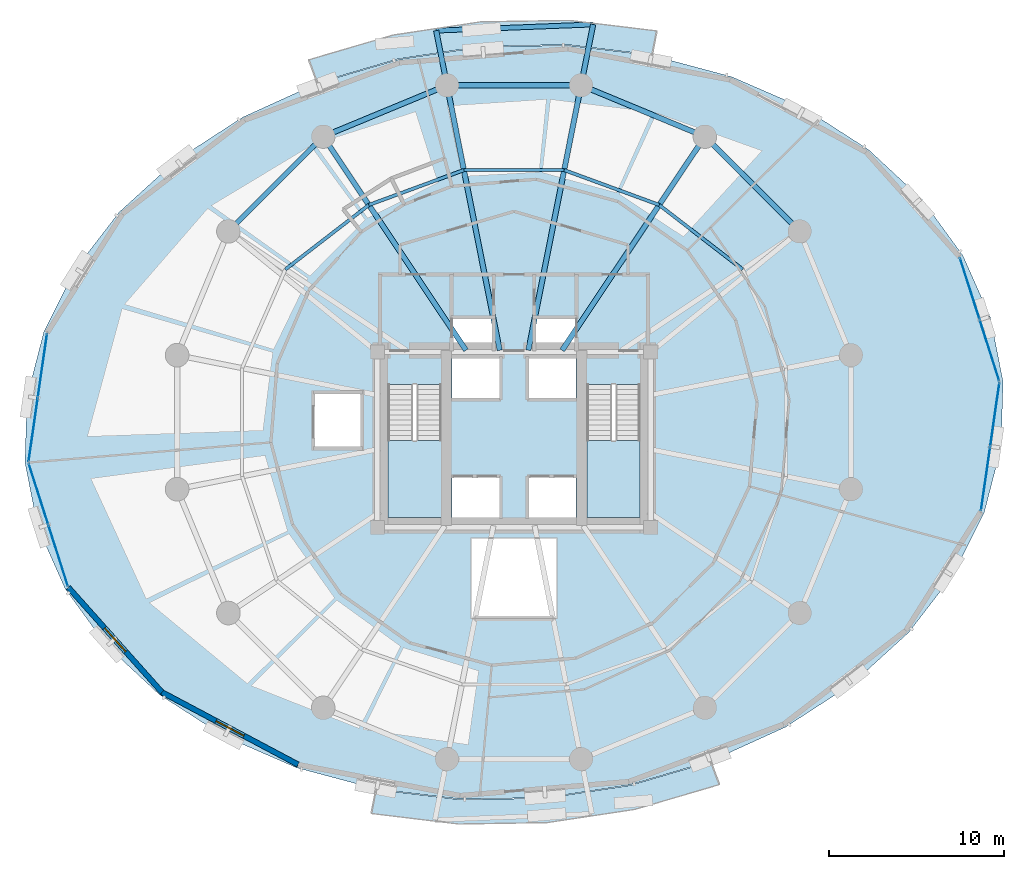
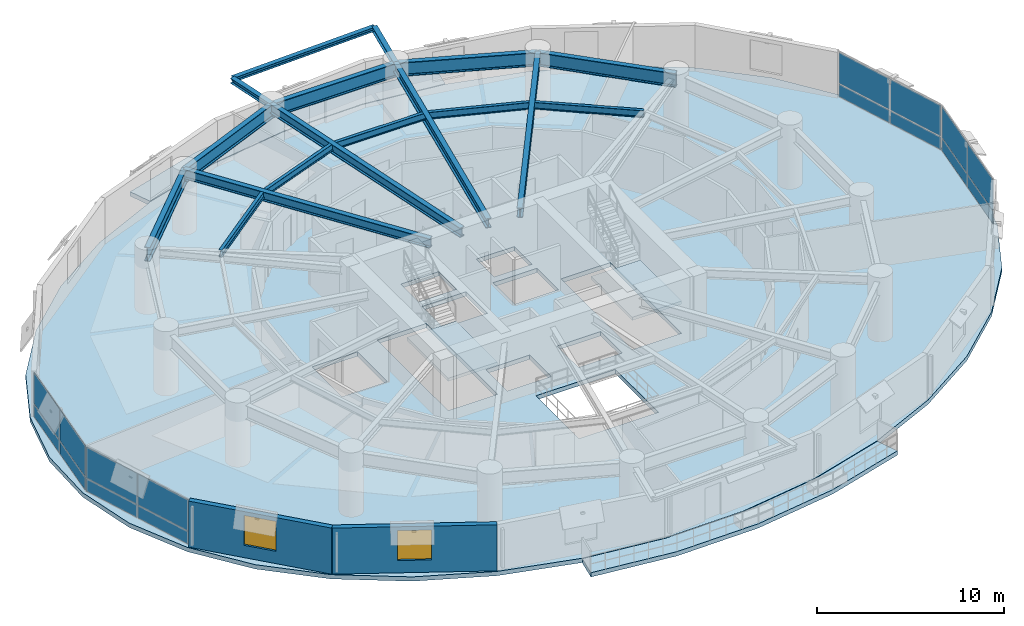
# One storey, part 9 of 16: 17 beams, 16 plates, 5 slabs, 2 walls, 2 windows, 2 openings, 6 elements without a shape of their own.
"""IFC4 building model written with IfcOpenShell, lengths in metres."""

from ifc_helpers import new_model, si_unit, direction, frame, frame_2d, origin, origin_2d, place, context, subcontext, project, spatial, polyline, rectangle, i_section, outline, extrude, material, layer, layer_set, material_profile, profile_set, type_object, element, fill, aggregate, save


model = new_model("IFC4")

# Units and contexts
model_context = context("Model", 3, precision=1e-05, world=origin(), true_north=direction((0.0, 1.0)))
body_context = subcontext(model_context, "Body", "Model", "MODEL_VIEW")
ifc_project = project(units=[si_unit("LENGTHUNIT", "METRE"), si_unit("AREAUNIT", "SQUARE_METRE"), si_unit("VOLUMEUNIT", "CUBIC_METRE"), si_unit("PLANEANGLEUNIT", "RADIAN"), si_unit("MASSUNIT", "GRAM", prefix="KILO"), si_unit("THERMODYNAMICTEMPERATUREUNIT", "KELVIN"), si_unit("POWERUNIT", "WATT")], contexts=[model_context])

# Site, building, storey
site_placement = place(None, origin())
site = spatial("IfcSite", under=ifc_project, at=site_placement, CompositionType="ELEMENT")
building_placement = place(site_placement, origin())
building = spatial("IfcBuilding", under=site, at=building_placement, Name="Ocrelia Relay Tower", CompositionType="ELEMENT")
storey_placement = place(building_placement, frame((0.0, 0.0, 51.0)))
storey = spatial("IfcBuildingStorey", under=building, at=storey_placement, Name="L11", CompositionType="ELEMENT", Elevation=51.0)

# Beams
ifc_material_1 = material(Name="Steel S355", Category="steel")
ifc_material_profile_1 = material_profile(ifc_material_1, i_section(OverallWidth=0.280029296875, OverallDepth=0.27001953125, WebThickness=0.008056640625, FlangeThickness=0.012939453125, FilletRadius=0.02392578125, at=origin_2d()), Name="HEA 280")
ifc_profile_set_1 = profile_set([ifc_material_profile_1], Name="Steel S355")
beam_type_1 = type_object("IfcBeamType", Name="BM-HEA280", PredefinedType="BEAM", material=ifc_profile_set_1)
beam_1_placement = place(storey_placement, frame((38.51416015625, 48.694580078125, 3.784912109375), z_axis=(-0.999235166973, -0.039103466406, 0.0), x_axis=(0.039103466406, -0.999235166973, 0.0)))
element("IfcBeam", 1, at=beam_1_placement, inside=storey, type_object=beam_type_1, Name="L12 Balcony Edge Trimmer Beam B1", PredefinedType="BEAM", context=body_context, shape_type="SweptSolid", body=[
    extrude(i_section(OverallWidth=0.280029296875, OverallDepth=0.27001953125, WebThickness=0.008056640625, FlangeThickness=0.012939453125, FilletRadius=0.02392578125, at=origin_2d()), origin(), (0.0, 0.0, 1.0), 8.965576171875),
])
ifc_material_profile_2 = material_profile(ifc_material_1, i_section(OverallWidth=0.300048828125, OverallDepth=0.330078125, WebThickness=0.009521484375, FlangeThickness=0.0166015625, FilletRadius=0.027099609375, at=origin_2d()), Name="HEA 340")
ifc_profile_set_2 = profile_set([ifc_material_profile_2], Name="Steel S355")
beam_type_2 = type_object("IfcBeamType", Name="BM-HEA340", PredefinedType="BEAM", material=ifc_profile_set_2)
beam_2_placement = place(storey_placement, frame((37.82373046875, 45.223388671875, 3.7548828125), z_axis=(0.195081294896, 0.980787075966, 0.0), x_axis=(-0.980787075966, 0.195081294896, 0.0)))
element("IfcBeam", 2, at=beam_2_placement, inside=storey, type_object=beam_type_2, Name="L12 Balcony Cantilever Beam B1-1", PredefinedType="BEAM", context=body_context, shape_type="SweptSolid", body=[
    extrude(i_section(OverallWidth=0.300048828125, OverallDepth=0.330078125, WebThickness=0.009521484375, FlangeThickness=0.0166015625, FilletRadius=0.027099609375, at=origin_2d()), origin(), (0.0, 0.0, 1.0), 3.539306640625),
])
beam_3_placement = place(storey_placement, frame((30.17626953125, 45.223388671875, 3.7548828125), z_axis=(-0.195127383752, 0.980777907638, 0.0), x_axis=(-0.980777907638, -0.195127383752, 0.0)))
element("IfcBeam", 3, at=beam_3_placement, inside=storey, type_object=beam_type_2, Name="L12 Balcony Cantilever Beam B1-2", PredefinedType="BEAM", context=body_context, shape_type="SweptSolid", body=[
    extrude(i_section(OverallWidth=0.300048828125, OverallDepth=0.330078125, WebThickness=0.009521484375, FlangeThickness=0.0166015625, FilletRadius=0.027099609375, at=origin_2d()), origin(), (0.0, 0.0, 1.0), 3.181884765625),
])
ifc_material_profile_3 = material_profile(ifc_material_1, i_section(OverallWidth=0.300048828125, OverallDepth=0.60009765625, WebThickness=0.015380859375, FlangeThickness=0.030029296875, FilletRadius=0.027099609375, at=origin_2d()), Name="HEB 600")
ifc_profile_set_3 = profile_set([ifc_material_profile_3], Name="Steel S355")
beam_type_3 = type_object("IfcBeamType", Name="BM-HEB600", PredefinedType="BEAM", material=ifc_profile_set_3)
beam_4_placement = place(storey_placement, frame((44.88916015625, 42.296875, 3.6201171875), z_axis=(-0.555564422059, -0.831473495033, 0.0), x_axis=(0.831473495033, -0.555564422059, 0.0)))
element("IfcBeam", 4, at=beam_4_placement, inside=storey, type_object=beam_type_3, Name="L11 Radial Floor Girder R03", PredefinedType="BEAM", context=body_context, shape_type="SweptSolid", body=[
    extrude(i_section(OverallWidth=0.300048828125, OverallDepth=0.60009765625, WebThickness=0.015380859375, FlangeThickness=0.030029296875, FilletRadius=0.027099609375, at=origin_2d()), origin(), (0.0, 0.0, 1.0), 14.6630859375),
])
for number, where, z_axis, x_axis, name in (
    (5, (37.82373046875, 45.223388671875, 3.6201171875), (-0.19509567956, -0.980784214706, 0.0), (0.980784214706, -0.19509567956, 0.0), "L11 Radial Floor Girder R04"),
    (6, (30.17626953125, 45.223388671875, 3.6201171875), (0.19509567956, -0.980784214706, 0.0), (0.980784214706, 0.19509567956, 0.0), "L11 Radial Floor Girder R05"),
):
    element("IfcBeam", number, at=place(storey_placement, frame(where, z_axis=z_axis, x_axis=x_axis)), inside=storey, type_object=beam_type_3, Name=name, PredefinedType="BEAM", context=body_context, shape_type="SweptSolid", body=[
        extrude(i_section(OverallWidth=0.300048828125, OverallDepth=0.60009765625, WebThickness=0.015380859375, FlangeThickness=0.030029296875, FilletRadius=0.027099609375, at=origin_2d()), origin(), (0.0, 0.0, 1.0), 15.41455078125),
    ])
beam_5_placement = place(storey_placement, frame((23.11083984375, 42.296875, 3.6201171875), z_axis=(0.555564422059, -0.831473495033, 0.0), x_axis=(0.831473495033, 0.555564422059, 0.0)))
element("IfcBeam", 7, at=beam_5_placement, inside=storey, type_object=beam_type_3, Name="L11 Radial Floor Girder R06", PredefinedType="BEAM", context=body_context, shape_type="SweptSolid", body=[
    extrude(i_section(OverallWidth=0.300048828125, OverallDepth=0.60009765625, WebThickness=0.015380859375, FlangeThickness=0.030029296875, FilletRadius=0.027099609375, at=origin_2d()), origin(), (0.0, 0.0, 1.0), 14.6630859375),
])
ifc_material_profile_4 = material_profile(ifc_material_1, i_section(OverallWidth=0.300048828125, OverallDepth=0.89990234375, WebThickness=0.0185546875, FlangeThickness=0.034912109375, FilletRadius=0.030029296875, at=origin_2d()), Name="HEB 900")
ifc_profile_set_4 = profile_set([ifc_material_profile_4], Name="Steel S355")
beam_type_4 = type_object("IfcBeamType", Name="BM-HEB900", PredefinedType="BEAM", material=ifc_profile_set_4)
beam_6_placement = place(storey_placement, frame((50.296875, 36.88916015625, 3.469970703125), z_axis=(-0.707106781187, 0.707106781187, 0.0), x_axis=(-0.707106781187, -0.707106781187, 0.0)))
element("IfcBeam", 8, at=beam_6_placement, inside=storey, type_object=beam_type_4, Name="L11 Perimeter Spandrel Beam S02", PredefinedType="BEAM", context=body_context, shape_type="SweptSolid", body=[
    extrude(i_section(OverallWidth=0.300048828125, OverallDepth=0.89990234375, WebThickness=0.0185546875, FlangeThickness=0.034912109375, FilletRadius=0.030029296875, at=origin_2d()), origin(), (0.0, 0.0, 1.0), 7.647705078125),
])
for number, where, z_axis, x_axis, name in (
    (9, (44.88916015625, 42.296875, 3.469970703125), (-0.923883375589, 0.382674154222, 0.0), (-0.382674154222, -0.923883375589, 0.0), "L11 Perimeter Spandrel Beam S03"),
    (10, (37.82373046875, 45.223388671875, 3.469970703125), (-1.0, 0.0, 0.0), (0.0, -1.0, 0.0), "L11 Perimeter Spandrel Beam S04"),
    (11, (30.17626953125, 45.223388671875, 3.469970703125), (-0.923883375589, -0.382674154222, 0.0), (0.382674154222, -0.923883375589, 0.0), "L11 Perimeter Spandrel Beam S05"),
):
    element("IfcBeam", number, at=place(storey_placement, frame(where, z_axis=z_axis, x_axis=x_axis)), inside=storey, type_object=beam_type_4, Name=name, PredefinedType="BEAM", context=body_context, shape_type="SweptSolid", body=[
        extrude(i_section(OverallWidth=0.300048828125, OverallDepth=0.89990234375, WebThickness=0.0185546875, FlangeThickness=0.034912109375, FilletRadius=0.030029296875, at=origin_2d()), origin(), (0.0, 0.0, 1.0), 7.6474609375),
    ])
beam_7_placement = place(storey_placement, frame((23.11083984375, 42.296875, 3.469970703125), z_axis=(-0.707106781187, -0.707106781187, 0.0), x_axis=(0.707106781187, -0.707106781187, 0.0)))
element("IfcBeam", 12, at=beam_7_placement, inside=storey, type_object=beam_type_4, Name="L11 Perimeter Spandrel Beam S06", PredefinedType="BEAM", context=body_context, shape_type="SweptSolid", body=[
    extrude(i_section(OverallWidth=0.300048828125, OverallDepth=0.89990234375, WebThickness=0.0185546875, FlangeThickness=0.034912109375, FilletRadius=0.030029296875, at=origin_2d()), origin(), (0.0, 0.0, 1.0), 7.647705078125),
])
ifc_material_profile_5 = material_profile(ifc_material_1, i_section(OverallWidth=0.18994140625, OverallDepth=0.449951171875, WebThickness=0.009521484375, FlangeThickness=0.0146484375, FilletRadius=0.02099609375, at=origin_2d()), Name="IPE 450")
ifc_profile_set_5 = profile_set([ifc_material_profile_5], Name="Steel S355")
beam_type_5 = type_object("IfcBeamType", Name="BM-IPE450", PredefinedType="JOIST", material=ifc_profile_set_5)
beam_8_placement = place(storey_placement, frame((47.0478515625, 34.71826171875, 3.695068359375), z_axis=(-0.791694256239, 0.610917510502, 0.0), x_axis=(-0.610917510502, -0.791694256239, 0.0)))
element("IfcBeam", 13, at=beam_8_placement, inside=storey, type_object=beam_type_5, Name="L11 Secondary Floor Joist J02", PredefinedType="JOIST", context=body_context, shape_type="SweptSolid", body=[
    extrude(i_section(OverallWidth=0.18994140625, OverallDepth=0.449951171875, WebThickness=0.009521484375, FlangeThickness=0.0146484375, FilletRadius=0.02099609375, at=origin_2d()), origin(), (0.0, 0.0, 1.0), 6.019287109375),
])
beam_9_placement = place(storey_placement, frame((42.282470703125, 38.3955078125, 3.695068359375), z_axis=(-0.938745977034, 0.344609910773, 0.0), x_axis=(-0.344609910773, -0.938745977034, 0.0)))
element("IfcBeam", 14, at=beam_9_placement, inside=storey, type_object=beam_type_5, Name="L11 Secondary Floor Joist J03", PredefinedType="JOIST", context=body_context, shape_type="SweptSolid", body=[
    extrude(i_section(OverallWidth=0.18994140625, OverallDepth=0.449951171875, WebThickness=0.009521484375, FlangeThickness=0.0146484375, FilletRadius=0.02099609375, at=origin_2d()), origin(), (0.0, 0.0, 1.0), 5.774658203125),
])
beam_10_placement = place(storey_placement, frame((36.861572265625, 40.385498046875, 3.695068359375), z_axis=(-1.0, 0.0, 0.0), x_axis=(0.0, -1.0, 0.0)))
element("IfcBeam", 15, at=beam_10_placement, inside=storey, type_object=beam_type_5, Name="L11 Secondary Floor Joist J04", PredefinedType="JOIST", context=body_context, shape_type="SweptSolid", body=[
    extrude(i_section(OverallWidth=0.18994140625, OverallDepth=0.449951171875, WebThickness=0.009521484375, FlangeThickness=0.0146484375, FilletRadius=0.02099609375, at=origin_2d()), origin(), (0.0, 0.0, 1.0), 5.72314453125),
])
beam_11_placement = place(storey_placement, frame((31.138427734375, 40.385498046875, 3.695068359375), z_axis=(-0.938745977034, -0.344609910773, 0.0), x_axis=(0.344609910773, -0.938745977034, 0.0)))
element("IfcBeam", 16, at=beam_11_placement, inside=storey, type_object=beam_type_5, Name="L11 Secondary Floor Joist J05", PredefinedType="JOIST", context=body_context, shape_type="SweptSolid", body=[
    extrude(i_section(OverallWidth=0.18994140625, OverallDepth=0.449951171875, WebThickness=0.009521484375, FlangeThickness=0.0146484375, FilletRadius=0.02099609375, at=origin_2d()), origin(), (0.0, 0.0, 1.0), 5.774658203125),
])
beam_12_placement = place(storey_placement, frame((25.717529296875, 38.3955078125, 3.695068359375), z_axis=(-0.791694256239, -0.610917510502, 0.0), x_axis=(0.610917510502, -0.791694256239, 0.0)))
element("IfcBeam", 17, at=beam_12_placement, inside=storey, type_object=beam_type_5, Name="L11 Secondary Floor Joist J06", PredefinedType="JOIST", context=body_context, shape_type="SweptSolid", body=[
    extrude(i_section(OverallWidth=0.18994140625, OverallDepth=0.449951171875, WebThickness=0.009521484375, FlangeThickness=0.0146484375, FilletRadius=0.02099609375, at=origin_2d()), origin(), (0.0, 0.0, 1.0), 6.019287109375),
])

# Curtain wall, plates
ifc_material_2 = material(Name="Aluminium and solar-control low-E glass", Category="aluminium")
ifc_layer_1 = layer(ifc_material_2, 0.179931640625, Name="Aluminium and solar-control low-E glass")
ifc_layer_set_1 = layer_set([ifc_layer_1], Name="Aluminium and solar-control low-E glass")
curtain_wall_type = type_object("IfcCurtainWallType", Name="CW-SYS-Z1-DATA", PredefinedType="NOTDEFINED", material=ifc_layer_set_1)
curtain_wall_1_placement = place(storey_placement, origin())
curtain_wall_1 = element("IfcCurtainWall", 18, at=curtain_wall_1_placement, inside=storey, type_object=curtain_wall_type, Name="L11 Elliptical Tower Curtain Wall Bay 01", PredefinedType="NOTDEFINED")
ifc_material_3 = material(Name="Clear double-glazed low-E glass", Category="glass")
ifc_layer_2 = layer(ifc_material_3, 0.031982421875, Name="Clear double-glazed low-E glass")
ifc_layer_set_2 = layer_set([ifc_layer_2], Name="Clear double-glazed low-E glass")
plate_type = type_object("IfcPlateType", Name="CW-SYS-Z1-DATA-PNL", PredefinedType="CURTAIN_PANEL", material=ifc_layer_set_2)
plate_1_placement = place(storey_placement, frame((61.130615234375, 30.09912109375, 0.06494140625), z_axis=(0.0, 0.0, 1.0), x_axis=(-0.304199031476, 0.952608497363, 0.0)))
plate_1 = element("IfcPlate", 19, at=plate_1_placement, type_object=plate_type, Name="CW-Z1 panel 1.1", PredefinedType="CURTAIN_PANEL", context=body_context, shape_type="SweptSolid", body=[
    extrude(rectangle(XDim=3.632568359375, YDim=0.031982421875, at=origin_2d()), origin(), (0.0, 0.0, 1.0), 0.802490234375),
])
plate_2_placement = place(storey_placement, frame((61.130615234375, 30.09912109375, 0.9326171875), z_axis=(0.0, 0.0, 1.0), x_axis=(-0.304199031476, 0.952608497363, 0.0)))
plate_2 = element("IfcPlate", 20, at=plate_2_placement, type_object=plate_type, Name="CW-Z1 panel 1.2", PredefinedType="CURTAIN_PANEL", context=body_context, shape_type="SweptSolid", body=[
    extrude(rectangle(XDim=3.632568359375, YDim=0.031982421875, at=origin_2d()), origin(), (0.0, 0.0, 1.0), 2.00244140625),
])
plate_3_placement = place(storey_placement, frame((60.00439453125, 33.626220703125, 0.06494140625), z_axis=(0.0, 0.0, 1.0), x_axis=(-0.304199031476, 0.952608497363, 0.0)))
plate_3 = element("IfcPlate", 21, at=plate_3_placement, type_object=plate_type, Name="CW-Z1 panel 2.1", PredefinedType="CURTAIN_PANEL", context=body_context, shape_type="SweptSolid", body=[
    extrude(rectangle(XDim=3.632568359375, YDim=0.031982421875, at=origin_2d()), origin(), (0.0, 0.0, 1.0), 0.802490234375),
])
plate_4_placement = place(storey_placement, frame((60.00439453125, 33.626220703125, 0.9326171875), z_axis=(0.0, 0.0, 1.0), x_axis=(-0.304199031476, 0.952608497363, 0.0)))
plate_4 = element("IfcPlate", 22, at=plate_4_placement, type_object=plate_type, Name="CW-Z1 panel 2.2", PredefinedType="CURTAIN_PANEL", context=body_context, shape_type="SweptSolid", body=[
    extrude(rectangle(XDim=3.632568359375, YDim=0.031982421875, at=origin_2d()), origin(), (0.0, 0.0, 1.0), 2.00244140625),
])
aggregate(curtain_wall_1, [plate_1, plate_2, plate_3, plate_4])

curtain_wall_2_placement = place(storey_placement, origin())
curtain_wall_2 = element("IfcCurtainWall", 23, at=curtain_wall_2_placement, inside=storey, type_object=curtain_wall_type, Name="L11 Elliptical Tower Curtain Wall Bay 09", PredefinedType="NOTDEFINED")
plate_5_placement = place(storey_placement, frame((7.093505859375, 29.229736328125, 0.06494140625), z_axis=(0.0, 0.0, 1.0), x_axis=(-0.14279958631, -0.989751624474, 0.0)))
plate_5 = element("IfcPlate", 24, at=plate_5_placement, type_object=plate_type, Name="CW-Z1 panel 1.1", PredefinedType="CURTAIN_PANEL", context=body_context, shape_type="SweptSolid", body=[
    extrude(rectangle(XDim=3.6328125, YDim=0.031982421875, at=origin_2d()), origin(), (0.0, 0.0, 1.0), 0.802490234375),
])
plate_6_placement = place(storey_placement, frame((7.093505859375, 29.229736328125, 0.9326171875), z_axis=(0.0, 0.0, 1.0), x_axis=(-0.14279958631, -0.989751624474, 0.0)))
plate_6 = element("IfcPlate", 25, at=plate_6_placement, type_object=plate_type, Name="CW-Z1 panel 1.2", PredefinedType="CURTAIN_PANEL", context=body_context, shape_type="SweptSolid", body=[
    extrude(rectangle(XDim=3.6328125, YDim=0.031982421875, at=origin_2d()), origin(), (0.0, 0.0, 1.0), 2.00244140625),
])
plate_7_placement = place(storey_placement, frame((6.56494140625, 25.56494140625, 0.06494140625), z_axis=(0.0, 0.0, 1.0), x_axis=(-0.14279958631, -0.989751624474, 0.0)))
plate_7 = element("IfcPlate", 26, at=plate_7_placement, type_object=plate_type, Name="CW-Z1 panel 2.1", PredefinedType="CURTAIN_PANEL", context=body_context, shape_type="SweptSolid", body=[
    extrude(rectangle(XDim=3.6328125, YDim=0.031982421875, at=origin_2d()), origin(), (0.0, 0.0, 1.0), 0.802490234375),
])
plate_8_placement = place(storey_placement, frame((6.56494140625, 25.56494140625, 0.9326171875), z_axis=(0.0, 0.0, 1.0), x_axis=(-0.14279958631, -0.989751624474, 0.0)))
plate_8 = element("IfcPlate", 27, at=plate_8_placement, type_object=plate_type, Name="CW-Z1 panel 2.2", PredefinedType="CURTAIN_PANEL", context=body_context, shape_type="SweptSolid", body=[
    extrude(rectangle(XDim=3.6328125, YDim=0.031982421875, at=origin_2d()), origin(), (0.0, 0.0, 1.0), 2.00244140625),
])
aggregate(curtain_wall_2, [plate_5, plate_6, plate_7, plate_8])

curtain_wall_3_placement = place(storey_placement, origin())
curtain_wall_3 = element("IfcCurtainWall", 28, at=curtain_wall_3_placement, inside=storey, type_object=curtain_wall_type, Name="L11 Elliptical Tower Curtain Wall Bay 10", PredefinedType="NOTDEFINED")
plate_9_placement = place(storey_placement, frame((6.869384765625, 21.90087890625, 0.06494140625), z_axis=(0.0, 0.0, 1.0), x_axis=(0.304199031476, -0.952608497363, 0.0)))
plate_9 = element("IfcPlate", 29, at=plate_9_placement, type_object=plate_type, Name="CW-Z1 panel 1.1", PredefinedType="CURTAIN_PANEL", context=body_context, shape_type="SweptSolid", body=[
    extrude(rectangle(XDim=3.632568359375, YDim=0.031982421875, at=origin_2d()), origin(), (0.0, 0.0, 1.0), 0.802490234375),
])
plate_10_placement = place(storey_placement, frame((6.869384765625, 21.90087890625, 0.9326171875), z_axis=(0.0, 0.0, 1.0), x_axis=(0.304199031476, -0.952608497363, 0.0)))
plate_10 = element("IfcPlate", 30, at=plate_10_placement, type_object=plate_type, Name="CW-Z1 panel 1.2", PredefinedType="CURTAIN_PANEL", context=body_context, shape_type="SweptSolid", body=[
    extrude(rectangle(XDim=3.632568359375, YDim=0.031982421875, at=origin_2d()), origin(), (0.0, 0.0, 1.0), 2.00244140625),
])
plate_11_placement = place(storey_placement, frame((7.99560546875, 18.373779296875, 0.06494140625), z_axis=(0.0, 0.0, 1.0), x_axis=(0.304199031476, -0.952608497363, 0.0)))
plate_11 = element("IfcPlate", 31, at=plate_11_placement, type_object=plate_type, Name="CW-Z1 panel 2.1", PredefinedType="CURTAIN_PANEL", context=body_context, shape_type="SweptSolid", body=[
    extrude(rectangle(XDim=3.632568359375, YDim=0.031982421875, at=origin_2d()), origin(), (0.0, 0.0, 1.0), 0.802490234375),
])
plate_12_placement = place(storey_placement, frame((7.99560546875, 18.373779296875, 0.9326171875), z_axis=(0.0, 0.0, 1.0), x_axis=(0.304199031476, -0.952608497363, 0.0)))
plate_12 = element("IfcPlate", 32, at=plate_12_placement, type_object=plate_type, Name="CW-Z1 panel 2.2", PredefinedType="CURTAIN_PANEL", context=body_context, shape_type="SweptSolid", body=[
    extrude(rectangle(XDim=3.632568359375, YDim=0.031982421875, at=origin_2d()), origin(), (0.0, 0.0, 1.0), 2.00244140625),
])
aggregate(curtain_wall_3, [plate_9, plate_10, plate_11, plate_12])

curtain_wall_4_placement = place(storey_placement, origin())
curtain_wall_4 = element("IfcCurtainWall", 33, at=curtain_wall_4_placement, inside=storey, type_object=curtain_wall_type, Name="L11 Elliptical Tower Curtain Wall Bay 18", PredefinedType="NOTDEFINED")
plate_13_placement = place(storey_placement, frame((60.906494140625, 22.770263671875, 0.06494140625), z_axis=(0.0, 0.0, 1.0), x_axis=(0.14279958631, 0.989751624474, 0.0)))
plate_13 = element("IfcPlate", 34, at=plate_13_placement, type_object=plate_type, Name="CW-Z1 panel 1.1", PredefinedType="CURTAIN_PANEL", context=body_context, shape_type="SweptSolid", body=[
    extrude(rectangle(XDim=3.6328125, YDim=0.031982421875, at=origin_2d()), origin(), (0.0, 0.0, 1.0), 0.802490234375),
])
plate_14_placement = place(storey_placement, frame((60.906494140625, 22.770263671875, 0.9326171875), z_axis=(0.0, 0.0, 1.0), x_axis=(0.14279958631, 0.989751624474, 0.0)))
plate_14 = element("IfcPlate", 35, at=plate_14_placement, type_object=plate_type, Name="CW-Z1 panel 1.2", PredefinedType="CURTAIN_PANEL", context=body_context, shape_type="SweptSolid", body=[
    extrude(rectangle(XDim=3.6328125, YDim=0.031982421875, at=origin_2d()), origin(), (0.0, 0.0, 1.0), 2.00244140625),
])
plate_15_placement = place(storey_placement, frame((61.43505859375, 26.43505859375, 0.06494140625), z_axis=(0.0, 0.0, 1.0), x_axis=(0.14279958631, 0.989751624474, 0.0)))
plate_15 = element("IfcPlate", 36, at=plate_15_placement, type_object=plate_type, Name="CW-Z1 panel 2.1", PredefinedType="CURTAIN_PANEL", context=body_context, shape_type="SweptSolid", body=[
    extrude(rectangle(XDim=3.6328125, YDim=0.031982421875, at=origin_2d()), origin(), (0.0, 0.0, 1.0), 0.802490234375),
])
plate_16_placement = place(storey_placement, frame((61.43505859375, 26.43505859375, 0.9326171875), z_axis=(0.0, 0.0, 1.0), x_axis=(0.14279958631, 0.989751624474, 0.0)))
plate_16 = element("IfcPlate", 37, at=plate_16_placement, type_object=plate_type, Name="CW-Z1 panel 2.2", PredefinedType="CURTAIN_PANEL", context=body_context, shape_type="SweptSolid", body=[
    extrude(rectangle(XDim=3.6328125, YDim=0.031982421875, at=origin_2d()), origin(), (0.0, 0.0, 1.0), 2.00244140625),
])
aggregate(curtain_wall_4, [plate_13, plate_14, plate_15, plate_16])

# Slabs
ifc_material_4 = material(Name="Precast concrete C40/50", Category="concrete")
ifc_layer_3 = layer(ifc_material_4, 0.280029296875, Name="Precast concrete C40/50")
ifc_layer_set_3 = layer_set([ifc_layer_3], Name="Precast concrete C40/50")
slab_type_1 = type_object("IfcSlabType", Name="SL-BALC-280", PredefinedType="FLOOR", material=ifc_layer_set_3)
slab_1_placement = place(storey_placement, frame((0.0, 0.0, -0.280029296875)))
element("IfcSlab", 38, at=slab_1_placement, inside=storey, type_object=slab_type_1, Name="L11 Planted Loggia Balcony B1", PredefinedType="FLOOR", context=body_context, shape_type="SweptSolid", body=[
    extrude(outline(polyline([(41.87646484375, 46.95654296875), (39.485107421875, 47.244873046875), (37.09375, 47.533203125), (32.217041015625, 47.456298828125), (27.394775390625, 46.727294921875), (25.083740234375, 46.04833984375), (22.772705078125, 45.369140625), (22.286865234375, 46.675048828125), (24.690185546875, 47.38134765625), (27.093505859375, 48.087646484375), (32.101806640625, 48.844482421875), (37.166259765625, 48.9248046875), (39.6533203125, 48.624755859375), (42.14013671875, 48.32470703125), (41.87646484375, 46.95654296875)])), origin(), (0.0, 0.0, 1.0), 0.280029296875),
])
slab_2_placement = place(storey_placement, frame((0.0, 0.0, -0.280029296875)))
element("IfcSlab", 39, at=slab_2_placement, inside=storey, type_object=slab_type_1, Name="L11 Planted Loggia Balcony B2", PredefinedType="FLOOR", context=body_context, shape_type="SweptSolid", body=[
    extrude(outline(polyline([(26.12353515625, 5.04345703125), (28.514892578125, 4.755126953125), (30.90625, 4.466796875), (35.782958984375, 4.543701171875), (40.605224609375, 5.272705078125), (42.916259765625, 5.95166015625), (45.227294921875, 6.630859375), (45.713134765625, 5.324951171875), (43.309814453125, 4.61865234375), (40.906494140625, 3.912353515625), (35.898193359375, 3.155517578125), (30.833740234375, 3.0751953125), (28.3466796875, 3.375244140625), (25.85986328125, 3.67529296875), (26.12353515625, 5.04345703125)])), origin(), (0.0, 0.0, 1.0), 0.280029296875),
])
ifc_material_5 = material(Name="Concrete C50/60", Category="concrete")
ifc_layer_4 = layer(ifc_material_5, 0.280029296875, Name="Concrete C50/60")
ifc_layer_set_4 = layer_set([ifc_layer_4], Name="Concrete C50/60")
slab_type_2 = type_object("IfcSlabType", Name="SL-FLR-280", PredefinedType="FLOOR", material=ifc_layer_set_4)
slab_3_placement = place(storey_placement, frame((0.0, 0.0, -0.280029296875)))
element("IfcSlab", 40, at=slab_3_placement, inside=storey, type_object=slab_type_2, Name="L11 Elliptical Tower Floor Slab", PredefinedType="FLOOR", context=body_context, shape_type="SweptSolid", body=[
    extrude(outline(polyline([(61.90380859375, 28.318603515625), (61.1708984375, 32.00390625), (59.612060546875, 35.507080078125), (57.275146484375, 38.72119140625), (54.231201171875, 41.548583984375), (50.572509765625, 43.90380859375), (46.41015625, 45.71484375), (41.87060546875, 46.927001953125), (37.092041015625, 47.50341796875), (32.219482421875, 47.42626953125), (27.401123046875, 46.697998046875), (22.783203125, 45.341064453125), (18.506103515625, 43.396240234375), (14.699951171875, 40.923095703125), (11.47998046875, 37.996337890625), (8.9443359375, 34.705078125), (7.169921875, 31.1494140625), (6.2109375, 27.437255859375), (6.09619140625, 23.681396484375), (6.8291015625, 19.99609375), (8.387939453125, 16.492919921875), (10.724853515625, 13.27880859375), (13.768798828125, 10.451416015625), (17.427490234375, 8.09619140625), (21.58984375, 6.28515625), (26.12939453125, 5.072998046875), (30.907958984375, 4.49658203125), (35.780517578125, 4.57373046875), (40.598876953125, 5.302001953125), (45.216796875, 6.658935546875), (49.493896484375, 8.603759765625), (53.300048828125, 11.076904296875), (56.52001953125, 14.003662109375), (59.0556640625, 17.294921875), (60.830078125, 20.8505859375), (61.7890625, 24.562744140625), (61.90380859375, 28.318603515625)]), holes=[polyline([(26.81005859375, 28.14990234375), (26.81005859375, 20.550048828125), (29.85009765625, 20.550048828125), (29.85009765625, 28.14990234375), (26.81005859375, 28.14990234375)]), polyline([(38.159912109375, 28.14990234375), (38.159912109375, 20.550048828125), (41.199951171875, 20.550048828125), (41.199951171875, 28.14990234375), (38.159912109375, 28.14990234375)]), polyline([(30.4599609375, 20.550048828125), (33.159912109375, 20.550048828125), (33.159912109375, 22.85009765625), (30.4599609375, 22.85009765625), (30.4599609375, 20.550048828125)]), polyline([(34.840087890625, 20.550048828125), (37.5400390625, 20.550048828125), (37.5400390625, 22.85009765625), (34.840087890625, 22.85009765625), (34.840087890625, 20.550048828125)]), polyline([(30.4599609375, 27.35009765625), (33.159912109375, 27.35009765625), (33.159912109375, 29.64990234375), (30.4599609375, 29.64990234375), (30.4599609375, 27.35009765625)]), polyline([(34.840087890625, 27.35009765625), (37.5400390625, 27.35009765625), (37.5400390625, 29.64990234375), (34.840087890625, 29.64990234375), (34.840087890625, 27.35009765625)]), polyline([(30.5, 30.10009765625), (32.85009765625, 30.10009765625), (32.85009765625, 32.0), (30.5, 32.0), (30.5, 30.10009765625)]), polyline([(35.14990234375, 30.10009765625), (37.5, 30.10009765625), (37.5, 32.0), (35.14990234375, 32.0), (35.14990234375, 30.10009765625)]), polyline([(22.550048828125, 24.5), (25.35009765625, 24.5), (25.35009765625, 27.699951171875), (22.550048828125, 27.699951171875), (22.550048828125, 24.5)]), polyline([(31.550048828125, 14.800048828125), (36.449951171875, 14.800048828125), (36.449951171875, 19.39990234375), (31.550048828125, 19.39990234375), (31.550048828125, 14.800048828125)])]), origin(), (0.0, 0.0, 1.0), 0.280029296875),
])

# Stair, slab
stair_type = type_object("IfcStairType", Name="ST-DL-1420-R175", PredefinedType="HALF_TURN_STAIR", material=ifc_material_5)
stair_1_placement = place(storey_placement, origin())
stair_1 = element("IfcStair", 41, at=stair_1_placement, inside=storey, type_object=stair_type, Name="L11 West Core Exit Stair ST1", PredefinedType="HALF_TURN_STAIR")
ifc_layer_5 = layer(ifc_material_5, 0.199951171875, Name="Concrete C50/60")
ifc_layer_set_5 = layer_set([ifc_layer_5], Name="Concrete C50/60")
slab_type_3 = type_object("IfcSlabType", Name="SL-LANDING-200", PredefinedType="LANDING", material=ifc_layer_set_5)
slab_4_placement = place(storey_placement, frame((0.0, 0.0, 1.89990234375)))
slab_4 = element("IfcSlab", 42, at=slab_4_placement, type_object=slab_type_3, Name="ST1 landing 1", PredefinedType="LANDING", context=body_context, shape_type="SweptSolid", body=[
    extrude(outline(polyline([(26.81005859375, 24.9599609375), (26.81005859375, 20.550048828125), (29.85009765625, 20.550048828125), (29.85009765625, 24.9599609375), (26.81005859375, 24.9599609375)])), origin(), (0.0, 0.0, 1.0), 0.2001953125),
])
aggregate(stair_1, [slab_4])

stair_2_placement = place(storey_placement, origin())
stair_2 = element("IfcStair", 43, at=stair_2_placement, inside=storey, type_object=stair_type, Name="L11 East Core Exit Stair ST2", PredefinedType="HALF_TURN_STAIR")
slab_5_placement = place(storey_placement, frame((0.0, 0.0, 1.89990234375)))
slab_5 = element("IfcSlab", 44, at=slab_5_placement, type_object=slab_type_3, Name="ST2 landing 1", PredefinedType="LANDING", context=body_context, shape_type="SweptSolid", body=[
    extrude(outline(polyline([(38.159912109375, 24.9599609375), (38.159912109375, 20.550048828125), (41.199951171875, 20.550048828125), (41.199951171875, 24.9599609375), (38.159912109375, 24.9599609375)])), origin(), (0.0, 0.0, 1.0), 0.2001953125),
])
aggregate(stair_2, [slab_5])

# Wall, opening, window
ifc_material_6 = material(Name="Precast concrete C40/50 with oxide terracotta", Category="masonry")
ifc_layer_6 = layer(ifc_material_6, 0.300048828125, Name="Precast concrete C40/50 with oxide terracotta")
ifc_layer_set_6 = layer_set([ifc_layer_6], Name="Precast concrete C40/50 with oxide terracotta")
wall_type = type_object("IfcWallType", Name="W-EXT-TERR-300", PredefinedType="SOLIDWALL", material=ifc_layer_set_6)
wall_1_placement = place(storey_placement, frame((8.569580078125, 16.576904296875, 0.0), z_axis=(0.0, 0.0, 1.0), x_axis=(0.66586999406, -0.746067792503, 0.0)))
wall_1 = element("IfcWall", 45, at=wall_1_placement, inside=storey, type_object=wall_type, Name="L11 Oxide Terracotta Facade Wall 11", PredefinedType="SOLIDWALL", context=body_context, shape_type="SweptSolid", body=[
    extrude(rectangle(XDim=8.021484375, YDim=0.300048828125, at=frame_2d((4.0107421875, 0.0))), origin(), (0.0, 0.0, 1.0), 3.0),
])
opening_1_placement = place(wall_1_placement, frame((3.111083984375, 0.0, 0.800048828125)))
opening_1 = element("IfcOpeningElement", 46, at=opening_1_placement, cuts=wall_1, Name="Opening W-02", PredefinedType="OPENING", context=body_context, shape_type="SweptSolid", body=[
    extrude(rectangle(XDim=1.800048828125, YDim=1.949951171875, at=frame_2d((0.89990234375, 0.97509765625))), frame((0.0, 0.16015625, 0.0), z_axis=(0.0, -1.0, 0.0), x_axis=(1.0, 0.0, 0.0)), (0.0, 0.0, 1.0), 0.320068359375),
])
window_type = type_object("IfcWindowType", Name="WIN-Z1-1800x2100", PartitioningType="DOUBLE_PANEL_VERTICAL", PredefinedType="WINDOW", material=ifc_material_3)
window_1_placement = place(opening_1_placement, origin())
window_1 = element("IfcWindow", 47, at=window_1_placement, inside=storey, type_object=window_type, Name="L11 Facade Module Window 11", OverallHeight=1.949951171875, OverallWidth=1.800048828125, PartitioningType="SINGLE_PANEL", PredefinedType="WINDOW", context=body_context, shape_type="SweptSolid", body=[
    extrude(rectangle(XDim=1.800048828125, YDim=1.949951171875, at=frame_2d((0.89990234375, 0.97509765625))), frame((0.0, 0.030029296875, 0.0), z_axis=(0.0, -1.0, 0.0), x_axis=(1.0, 0.0, 0.0)), (0.0, 0.0, 1.0), 0.06005859375),
])
fill(opening_1, window_1)

wall_2_placement = place(storey_placement, frame((13.910888671875, 10.59228515625, 0.0), z_axis=(0.0, 0.0, 1.0), x_axis=(0.883050641041, -0.46927770601, 0.0)))
wall_2 = element("IfcWall", 48, at=wall_2_placement, inside=storey, type_object=wall_type, Name="L11 Oxide Terracotta Facade Wall 12", PredefinedType="SOLIDWALL", context=body_context, shape_type="SweptSolid", body=[
    extrude(rectangle(XDim=8.792724609375, YDim=0.300048828125, at=frame_2d((4.396484375, 0.0))), origin(), (0.0, 0.0, 1.0), 3.0),
])
opening_2_placement = place(wall_2_placement, frame((3.49609375, 0.0, 0.800048828125)))
opening_2 = element("IfcOpeningElement", 49, at=opening_2_placement, cuts=wall_2, Name="Opening W-02", PredefinedType="OPENING", context=body_context, shape_type="SweptSolid", body=[
    extrude(rectangle(XDim=1.800048828125, YDim=1.949951171875, at=frame_2d((0.89990234375, 0.97509765625))), frame((0.0, 0.16015625, 0.0), z_axis=(0.0, -1.0, 0.0), x_axis=(1.0, 0.0, 0.0)), (0.0, 0.0, 1.0), 0.320068359375),
])
window_2_placement = place(opening_2_placement, origin())
window_2 = element("IfcWindow", 50, at=window_2_placement, inside=storey, type_object=window_type, Name="L11 Facade Module Window 12", OverallHeight=1.949951171875, OverallWidth=1.800048828125, PartitioningType="SINGLE_PANEL", PredefinedType="WINDOW", context=body_context, shape_type="SweptSolid", body=[
    extrude(rectangle(XDim=1.800048828125, YDim=1.949951171875, at=frame_2d((0.89990234375, 0.97509765625))), frame((0.0, 0.030029296875, 0.0), z_axis=(0.0, -1.0, 0.0), x_axis=(1.0, 0.0, 0.0)), (0.0, 0.0, 1.0), 0.06005859375),
])
fill(opening_2, window_2)

save(model, "model.ifc")
